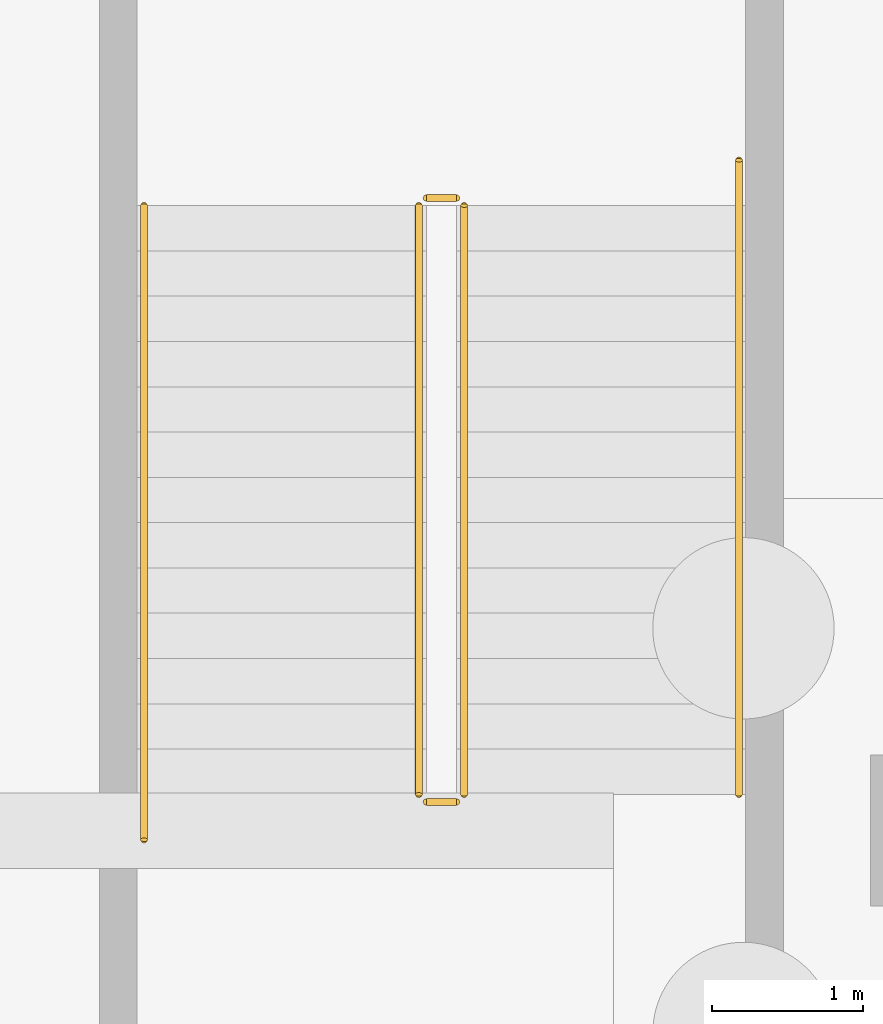
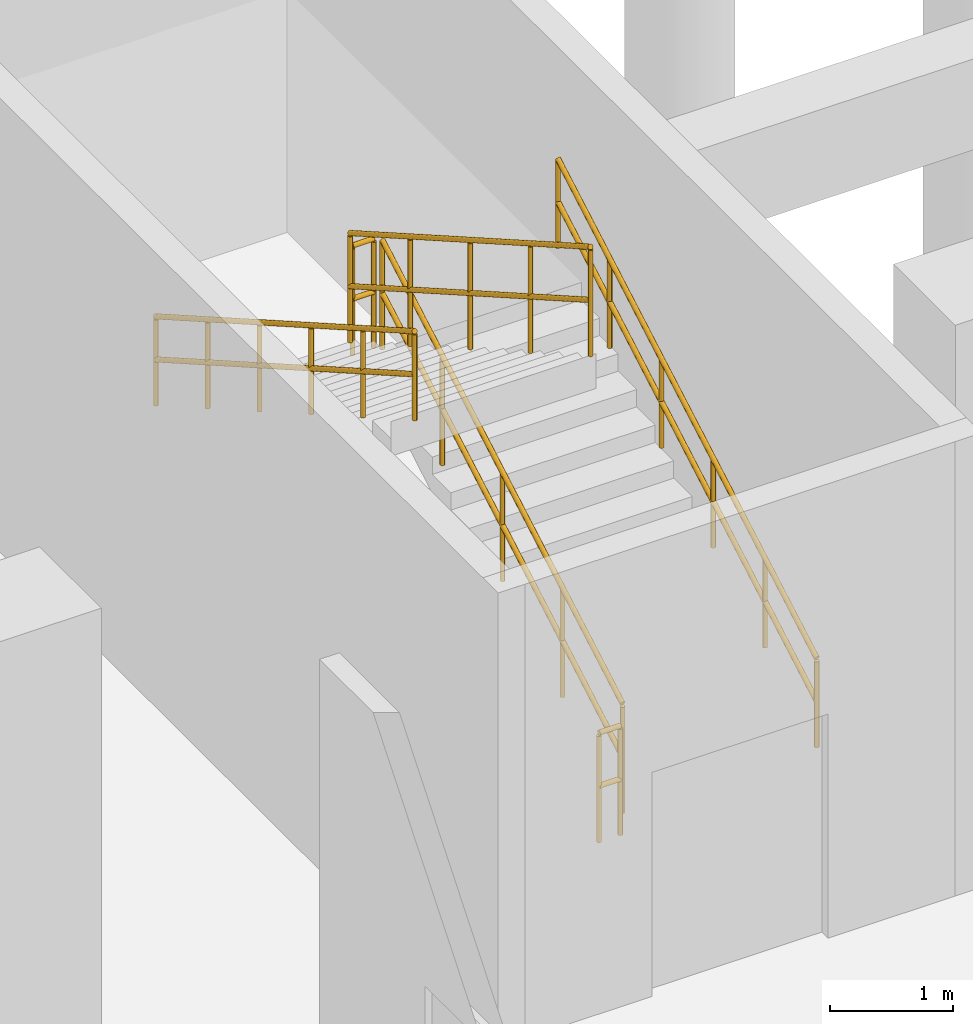
# One storey, part 35 of 40: 6 railings.
"""IFC4 building model written with IfcOpenShell, lengths in metres."""

from ifc_helpers import new_model, si_unit, direction, frame, origin, origin_2d, place, context, subcontext, project, spatial, circle, extrude, material, type_object, element, save


model = new_model("IFC4")

# Units and contexts
model_context = context("Model", 3, precision=1e-05, world=origin(), true_north=direction((0.0, 1.0)))
body_context = subcontext(model_context, "Body", "Model", "MODEL_VIEW")
ifc_project = project(units=[si_unit("LENGTHUNIT", "METRE"), si_unit("AREAUNIT", "SQUARE_METRE"), si_unit("VOLUMEUNIT", "CUBIC_METRE"), si_unit("PLANEANGLEUNIT", "RADIAN"), si_unit("MASSUNIT", "GRAM", prefix="KILO")], contexts=[model_context])

# Site, building, storey
site_placement = place(None, origin())
site = spatial("IfcSite", under=ifc_project, at=site_placement, CompositionType="ELEMENT")
building_placement = place(site_placement, origin())
building = spatial("IfcBuilding", under=site, at=building_placement, Name="Marnock Terrace Opera House", CompositionType="ELEMENT")
storey_placement = place(building_placement, frame((0.0, 0.0, -4.800048828125)))
storey = spatial("IfcBuildingStorey", under=building, at=storey_placement, Name="B1", CompositionType="ELEMENT", Elevation=-4.800048828125)

# Railings
ifc_material = material(Name="Architectural bronze balustrade")
railing_type_1 = type_object("IfcRailingType", Name="RL-GUARD-1100", PredefinedType="GUARDRAIL", material=ifc_material)
railing_1_placement = place(storey_placement, frame((105.81005859375, 48.239990234375, 0.17138671875)))
element("IfcRailing", 1, at=railing_1_placement, inside=storey, type_object=railing_type_1, Name="B1 ST-02 stair guard 1", PredefinedType="GUARDRAIL", context=body_context, shape_type="SweptSolid", body=[
    extrude(circle(Radius=0.02392578125, at=origin_2d()), frame((0.0, 0.0, 1.076171875), z_axis=(0.0, 0.868219727965, 0.496179910892), x_axis=(-1.0, 0.0, 0.0)), (0.0, 0.0, 1.0), 4.491943359375),
    extrude(circle(Radius=0.02392578125, at=origin_2d()), frame((0.0, 0.0, 0.550048828125), z_axis=(0.0, 0.868219727965, 0.496179910892), x_axis=(-1.0, 0.0, 0.0)), (0.0, 0.0, 1.0), 4.491943359375),
    extrude(circle(Radius=0.02099609375, at=origin_2d()), origin(), (0.0, 0.0, 1.0), 1.052001953125),
    extrude(circle(Radius=0.02099609375, at=origin_2d()), frame((0.0, 0.97509765625, 0.55712890625)), (0.0, 0.0, 1.0), 1.052001953125),
    extrude(circle(Radius=0.02099609375, at=origin_2d()), frame((0.0, 1.949951171875, 1.1142578125)), (0.0, 0.0, 1.0), 1.052001953125),
    extrude(circle(Radius=0.02099609375, at=origin_2d()), frame((0.0, 2.9248046875, 1.671630859375)), (0.0, 0.0, 1.0), 1.052001953125),
    extrude(circle(Radius=0.02099609375, at=origin_2d()), frame((0.0, 3.89990234375, 2.228759765625)), (0.0, 0.0, 1.0), 1.052001953125),
])
railing_2_placement = place(storey_placement, frame((105.760009765625, 52.18994140625, 2.400146484375)))
element("IfcRailing", 2, at=railing_2_placement, inside=storey, type_object=railing_type_1, Name="B1 ST-02 stair guard 2", PredefinedType="GUARDRAIL", context=body_context, shape_type="SweptSolid", body=[
    extrude(circle(Radius=0.02392578125, at=origin_2d()), frame((0.0, 0.0, 1.076171875), z_axis=(-1.0, 0.0, 0.0), x_axis=(0.0, -1.0, 0.0)), (0.0, 0.0, 1.0), 0.199951171875),
    extrude(circle(Radius=0.02392578125, at=origin_2d()), frame((0.0, 0.0, 0.550048828125), z_axis=(-1.0, 0.0, 0.0), x_axis=(0.0, -1.0, 0.0)), (0.0, 0.0, 1.0), 0.199951171875),
    extrude(circle(Radius=0.02099609375, at=origin_2d()), origin(), (0.0, 0.0, 1.0), 1.052001953125),
    extrude(circle(Radius=0.02099609375, at=origin_2d()), frame((-0.199951171875, 0.0, 0.0)), (0.0, 0.0, 1.0), 1.052001953125),
])
railing_3_placement = place(storey_placement, frame((105.510009765625, 52.139892578125, 2.571533203125)))
element("IfcRailing", 3, at=railing_3_placement, inside=storey, type_object=railing_type_1, Name="B1 ST-02 stair guard 3", PredefinedType="GUARDRAIL", context=body_context, shape_type="SweptSolid", body=[
    extrude(circle(Radius=0.02392578125, at=origin_2d()), frame((0.0, 0.0, 1.076171875), z_axis=(0.0, -0.868243142124, 0.496138938357), x_axis=(1.0, 0.0, 0.0)), (0.0, 0.0, 1.0), 4.49169921875),
    extrude(circle(Radius=0.02392578125, at=origin_2d()), frame((0.0, 0.0, 0.550048828125), z_axis=(0.0, -0.868243142124, 0.496138938357), x_axis=(1.0, 0.0, 0.0)), (0.0, 0.0, 1.0), 4.49169921875),
    extrude(circle(Radius=0.02099609375, at=origin_2d()), origin(), (0.0, 0.0, 1.0), 1.052001953125),
    extrude(circle(Radius=0.02099609375, at=origin_2d()), frame((0.0, -0.97509765625, 0.55712890625)), (0.0, 0.0, 1.0), 1.052001953125),
    extrude(circle(Radius=0.02099609375, at=origin_2d()), frame((0.0, -1.949951171875, 1.1142578125)), (0.0, 0.0, 1.0), 1.052001953125),
    extrude(circle(Radius=0.02099609375, at=origin_2d()), frame((0.0, -2.9248046875, 1.67138671875)), (0.0, 0.0, 1.0), 1.052001953125),
    extrude(circle(Radius=0.02099609375, at=origin_2d()), frame((0.0, -3.89990234375, 2.228515625)), (0.0, 0.0, 1.0), 1.052001953125),
])
railing_4_placement = place(storey_placement, frame((105.760009765625, 48.18994140625, 0.0)))
element("IfcRailing", 4, at=railing_4_placement, inside=storey, type_object=railing_type_1, Name="B1 ST-02 stair guard 4", PredefinedType="GUARDRAIL", context=body_context, shape_type="SweptSolid", body=[
    extrude(circle(Radius=0.02392578125, at=origin_2d()), frame((0.0, 0.0, 1.076171875), z_axis=(-1.0, 0.0, 0.0), x_axis=(0.0, -1.0, 0.0)), (0.0, 0.0, 1.0), 0.199951171875),
    extrude(circle(Radius=0.02392578125, at=origin_2d()), frame((0.0, 0.0, 0.550048828125), z_axis=(-1.0, 0.0, 0.0), x_axis=(0.0, -1.0, 0.0)), (0.0, 0.0, 1.0), 0.199951171875),
    extrude(circle(Radius=0.02099609375, at=origin_2d()), origin(), (0.0, 0.0, 1.0), 1.052001953125),
    extrude(circle(Radius=0.02099609375, at=origin_2d()), frame((-0.199951171875, 0.0, 0.0)), (0.0, 0.0, 1.0), 1.052001953125),
])
railing_type_2 = type_object("IfcRailingType", Name="RL-HAND-900", PredefinedType="HANDRAIL", material=ifc_material)
railing_5_placement = place(storey_placement, frame((107.6298828125, 48.239990234375, 0.18359375)))
element("IfcRailing", 5, at=railing_5_placement, inside=storey, type_object=railing_type_2, Name="B1 ST-02 stair handrail 1", PredefinedType="HANDRAIL", context=body_context, shape_type="SweptSolid", body=[
    extrude(circle(Radius=0.02392578125, at=origin_2d()), frame((0.0, 0.0, 0.8759765625), z_axis=(0.0, 0.868249353848, 0.496128067682), x_axis=(-1.0, 0.0, 0.0)), (0.0, 0.0, 1.0), 4.837158203125),
    extrude(circle(Radius=0.02392578125, at=origin_2d()), frame((0.0, 0.0, 0.449951171875), z_axis=(0.0, 0.868249353848, 0.496128067682), x_axis=(-1.0, 0.0, 0.0)), (0.0, 0.0, 1.0), 4.837158203125),
    extrude(circle(Radius=0.02099609375, at=origin_2d()), origin(), (0.0, 0.0, 1.0), 0.851806640625),
    extrude(circle(Radius=0.02099609375, at=origin_2d()), frame((0.0, 0.840087890625, 0.47998046875)), (0.0, 0.0, 1.0), 0.851806640625),
    extrude(circle(Radius=0.02099609375, at=origin_2d()), frame((0.0, 1.679931640625, 0.9599609375)), (0.0, 0.0, 1.0), 0.851806640625),
    extrude(circle(Radius=0.02099609375, at=origin_2d()), frame((0.0, 2.52001953125, 1.43994140625)), (0.0, 0.0, 1.0), 0.851806640625),
    extrude(circle(Radius=0.02099609375, at=origin_2d()), frame((0.0, 3.35986328125, 1.919921875)), (0.0, 0.0, 1.0), 0.851806640625),
    extrude(circle(Radius=0.02099609375, at=origin_2d()), frame((0.0, 4.199951171875, 2.39990234375)), (0.0, 0.0, 1.0), 0.851806640625),
])
railing_6_placement = place(storey_placement, frame((103.68994140625, 52.139892578125, 2.58349609375)))
element("IfcRailing", 6, at=railing_6_placement, inside=storey, type_object=railing_type_2, Name="B1 ST-02 stair handrail 2", PredefinedType="HANDRAIL", context=body_context, shape_type="SweptSolid", body=[
    extrude(circle(Radius=0.02392578125, at=origin_2d()), frame((0.0, 0.0, 0.8759765625), z_axis=(0.0, -0.868249353848, 0.496128067682), x_axis=(1.0, 0.0, 0.0)), (0.0, 0.0, 1.0), 4.837158203125),
    extrude(circle(Radius=0.02392578125, at=origin_2d()), frame((0.0, 0.0, 0.449951171875), z_axis=(0.0, -0.868249353848, 0.496128067682), x_axis=(1.0, 0.0, 0.0)), (0.0, 0.0, 1.0), 4.837158203125),
    extrude(circle(Radius=0.02099609375, at=origin_2d()), origin(), (0.0, 0.0, 1.0), 0.851806640625),
    extrude(circle(Radius=0.02099609375, at=origin_2d()), frame((0.0, -0.840087890625, 0.47998046875)), (0.0, 0.0, 1.0), 0.851806640625),
    extrude(circle(Radius=0.02099609375, at=origin_2d()), frame((0.0, -1.679931640625, 0.9599609375)), (0.0, 0.0, 1.0), 0.851806640625),
    extrude(circle(Radius=0.02099609375, at=origin_2d()), frame((0.0, -2.52001953125, 1.43994140625)), (0.0, 0.0, 1.0), 0.851806640625),
    extrude(circle(Radius=0.02099609375, at=origin_2d()), frame((0.0, -3.35986328125, 1.919921875)), (0.0, 0.0, 1.0), 0.851806640625),
    extrude(circle(Radius=0.02099609375, at=origin_2d()), frame((0.0, -4.199951171875, 2.39990234375)), (0.0, 0.0, 1.0), 0.851806640625),
])

save(model, "model.ifc")
